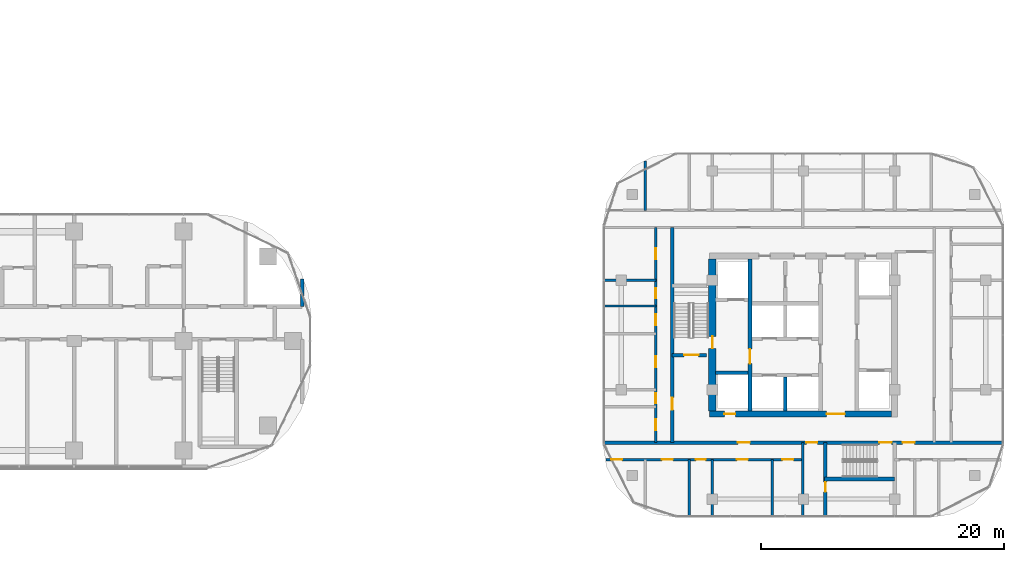
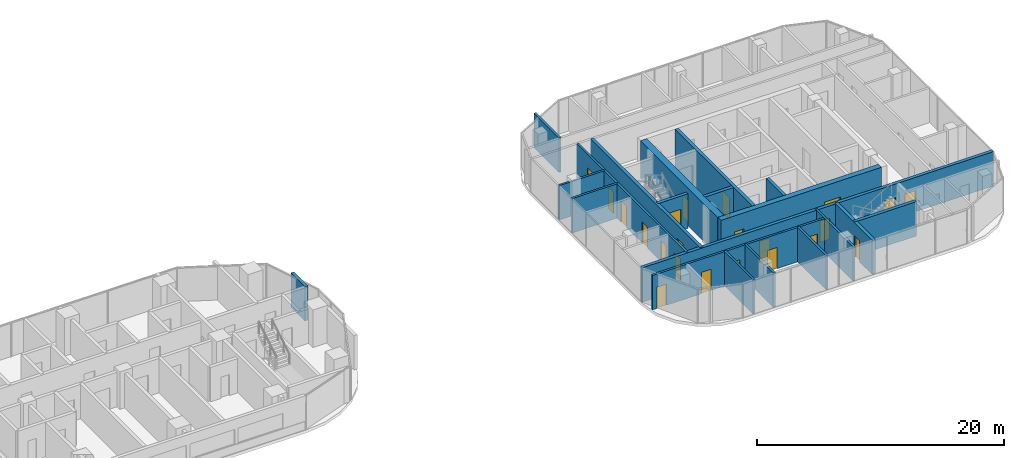
# One storey, part 22 of 33: 22 doors, 20 walls, 22 openings.
"""IFC4 building model written with IfcOpenShell, lengths in metres."""

from ifc_helpers import new_model, si_unit, direction, frame, frame_2d, origin, place, context, subcontext, project, spatial, rectangle, extrude, material, layer, layer_set, type_object, element, fill, save


model = new_model("IFC4")

# Units and contexts
model_context = context("Model", 3, precision=1e-05, world=origin(), true_north=direction((0.0, 1.0)))
body_context = subcontext(model_context, "Body", "Model", "MODEL_VIEW")
ifc_project = project(units=[si_unit("LENGTHUNIT", "METRE"), si_unit("AREAUNIT", "SQUARE_METRE"), si_unit("VOLUMEUNIT", "CUBIC_METRE"), si_unit("PLANEANGLEUNIT", "RADIAN"), si_unit("MASSUNIT", "GRAM", prefix="KILO")], contexts=[model_context])

# Site, building, storey
site_placement = place(None, origin())
site = spatial("IfcSite", under=ifc_project, at=site_placement, CompositionType="ELEMENT")
building_placement = place(site_placement, origin())
building = spatial("IfcBuilding", under=site, at=building_placement, Name="Ogive Portal Towers", CompositionType="ELEMENT")
storey_placement = place(building_placement, frame((0.0, 0.0, 77.89990234375)))
storey = spatial("IfcBuildingStorey", under=building, at=storey_placement, Name="L18", CompositionType="ELEMENT", Elevation=77.89990234375)

# Wall, opening, door
ifc_material_1 = material(Name="Concrete C60/75", Category="concrete")
ifc_layer_1 = layer(ifc_material_1, 0.300048828125)
ifc_layer_set_1 = layer_set([ifc_layer_1], Name="CORE WALL 300 C60")
wall_type_1 = type_object("IfcWallType", Name="CORE WALL 300 C60", PredefinedType="SHEAR", material=ifc_layer_set_1)
wall_1_placement = place(storey_placement, frame((132.10009765625, 24.75, 0.0), z_axis=(0.0, 0.0, 1.0), x_axis=(0.0, 1.0, 0.0)))
wall_1 = element("IfcWall", 1, at=wall_1_placement, inside=storey, type_object=wall_type_1, Name="Tower B core wall BX1 L18", PredefinedType="SHEAR", context=body_context, shape_type="SweptSolid", body=[
    extrude(rectangle(XDim=12.5, YDim=0.300048828125, at=frame_2d((6.25, 0.0))), origin(), (0.0, 0.0, 1.0), 3.7001953125),
])
opening_1_placement = place(wall_1_placement, frame((3.89990234375, 0.0, 0.0)))
opening_1 = element("IfcOpeningElement", 2, at=opening_1_placement, cuts=wall_1, Name="Opening B05-042", PredefinedType="OPENING", context=body_context, shape_type="SweptSolid", body=[
    extrude(rectangle(XDim=1.199951171875, YDim=2.10009765625, at=frame_2d((0.60009765625, 1.050048828125))), frame((0.0, 0.16015625, 0.0), z_axis=(0.0, -1.0, 0.0), x_axis=(1.0, 0.0, 0.0)), (0.0, 0.0, 1.0), 0.320068359375),
])
ifc_material_2 = material(Name="Steel fire door", Category="steel")
door_type_1 = type_object("IfcDoorType", Name="DT-SWING-1200x2100-FD90S", OperationType="SINGLE_SWING_LEFT", PredefinedType="DOOR", material=ifc_material_2)
door_1_placement = place(opening_1_placement, origin())
door_1 = element("IfcDoor", 3, at=door_1_placement, inside=storey, type_object=door_type_1, Name="Door B05-042", OperationType="SINGLE_SWING_LEFT", OverallHeight=2.10009765625, OverallWidth=1.199951171875, PredefinedType="DOOR", context=body_context, shape_type="SweptSolid", body=[
    extrude(rectangle(XDim=1.199951171875, YDim=2.10009765625, at=frame_2d((0.60009765625, 1.050048828125))), frame((0.0, 0.02490234375, 0.0), z_axis=(0.0, -1.0, 0.0), x_axis=(1.0, 0.0, 0.0)), (0.0, 0.0, 1.0), 0.050048828125),
])
fill(opening_1, door_1)

# Walls
wall_2_placement = place(storey_placement, frame((135.0, 24.75, 0.0), z_axis=(0.0, 0.0, 1.0), x_axis=(0.0, 1.0, 0.0)))
element("IfcWall", 4, at=wall_2_placement, inside=storey, type_object=wall_type_1, Name="Tower B core wall BX4 L18", PredefinedType="SHEAR", context=body_context, shape_type="SweptSolid", body=[
    extrude(rectangle(XDim=2.800048828125, YDim=0.300048828125, at=frame_2d((1.39990234375, 0.0))), origin(), (0.0, 0.0, 1.0), 3.7001953125),
])
wall_3_placement = place(storey_placement, frame((129.25, 27.89990234375, 0.0), z_axis=(0.0, 0.0, 1.0), x_axis=(1.0, 0.0, 0.0)))
element("IfcWall", 5, at=wall_3_placement, inside=storey, type_object=wall_type_1, Name="Tower B core wall BY4 L18", PredefinedType="SHEAR", context=body_context, shape_type="SweptSolid", body=[
    extrude(rectangle(XDim=2.699951171875, YDim=0.300048828125, at=frame_2d((1.35009765625, 0.0))), origin(), (0.0, 0.0, 1.0), 3.7001953125),
])

# Wall, openings, doors
ifc_layer_2 = layer(ifc_material_1, 0.5)
ifc_layer_set_2 = layer_set([ifc_layer_2], Name="CORE WALL 500 C60")
wall_type_2 = type_object("IfcWallType", Name="CORE WALL 500 C60", PredefinedType="SHEAR", material=ifc_layer_set_2)
wall_4_placement = place(storey_placement, frame((128.75, 24.5, 0.0), z_axis=(0.0, 0.0, 1.0), x_axis=(1.0, 0.0, 0.0)))
wall_4 = element("IfcWall", 6, at=wall_4_placement, inside=storey, type_object=wall_type_2, Name="Tower B core wall BS L18", PredefinedType="SHEAR", context=body_context, shape_type="SweptSolid", body=[
    extrude(rectangle(XDim=15.0, YDim=0.5, at=frame_2d((7.5, 0.0))), origin(), (0.0, 0.0, 1.0), 3.7001953125),
])
opening_2_placement = place(wall_4_placement, frame((9.64990234375, 0.0, 0.0)))
opening_2 = element("IfcOpeningElement", 7, at=opening_2_placement, cuts=wall_4, Name="Opening B05-045", PredefinedType="OPENING", context=body_context, shape_type="SweptSolid", body=[
    extrude(rectangle(XDim=1.5, YDim=2.10009765625, at=frame_2d((0.75, 1.050048828125))), frame((0.0, 0.260009765625, 0.0), z_axis=(0.0, -1.0, 0.0), x_axis=(1.0, 0.0, 0.0)), (0.0, 0.0, 1.0), 0.52001953125),
])
opening_3_placement = place(wall_4_placement, frame((1.25, 0.0, 0.0)))
opening_3 = element("IfcOpeningElement", 8, at=opening_3_placement, cuts=wall_4, Name="Opening B05-047", PredefinedType="OPENING", context=body_context, shape_type="SweptSolid", body=[
    extrude(rectangle(XDim=0.89990234375, YDim=2.10009765625, at=frame_2d((0.449951171875, 1.050048828125))), frame((0.0, 0.260009765625, 0.0), z_axis=(0.0, -1.0, 0.0), x_axis=(1.0, 0.0, 0.0)), (0.0, 0.0, 1.0), 0.52001953125),
])
door_type_2 = type_object("IfcDoorType", Name="DT-SWING-1500x2100-FD90S", OperationType="SINGLE_SWING_LEFT", PredefinedType="DOOR", material=ifc_material_2)
door_2_placement = place(opening_2_placement, origin())
door_2 = element("IfcDoor", 9, at=door_2_placement, inside=storey, type_object=door_type_2, Name="Door B05-045", OperationType="SINGLE_SWING_LEFT", OverallHeight=2.10009765625, OverallWidth=1.5, PredefinedType="DOOR", context=body_context, shape_type="SweptSolid", body=[
    extrude(rectangle(XDim=1.5, YDim=2.10009765625, at=frame_2d((0.75, 1.050048828125))), frame((0.0, 0.02490234375, 0.0), z_axis=(0.0, -1.0, 0.0), x_axis=(1.0, 0.0, 0.0)), (0.0, 0.0, 1.0), 0.050048828125),
])
fill(opening_2, door_2)
door_type_3 = type_object("IfcDoorType", Name="DT-SWING-900x2100-FD90S", OperationType="SINGLE_SWING_LEFT", PredefinedType="DOOR", material=ifc_material_2)
door_3_placement = place(opening_3_placement, origin())
door_3 = element("IfcDoor", 10, at=door_3_placement, inside=storey, type_object=door_type_3, Name="Riser access door B05-047", OperationType="SINGLE_SWING_LEFT", OverallHeight=2.10009765625, OverallWidth=0.89990234375, PredefinedType="DOOR", context=body_context, shape_type="SweptSolid", body=[
    extrude(rectangle(XDim=0.89990234375, YDim=2.10009765625, at=frame_2d((0.449951171875, 1.050048828125))), frame((0.0, 0.02490234375, 0.0), z_axis=(0.0, -1.0, 0.0), x_axis=(1.0, 0.0, 0.0)), (0.0, 0.0, 1.0), 0.050048828125),
])
fill(opening_3, door_3)

# Wall, opening, door
ifc_layer_3 = layer(ifc_material_1, 0.60009765625)
ifc_layer_set_3 = layer_set([ifc_layer_3], Name="CORE WALL 600 C60")
wall_type_3 = type_object("IfcWallType", Name="CORE WALL 600 C60", PredefinedType="SHEAR", material=ifc_layer_set_3)
wall_5_placement = place(storey_placement, frame((129.0, 24.75, 0.0), z_axis=(0.0, 0.0, 1.0), x_axis=(0.0, 1.0, 0.0)))
wall_5 = element("IfcWall", 11, at=wall_5_placement, inside=storey, type_object=wall_type_3, Name="Tower B core wall BW L18", PredefinedType="SHEAR", context=body_context, shape_type="SweptSolid", body=[
    extrude(rectangle(XDim=12.5, YDim=0.60009765625, at=frame_2d((6.25, 0.0))), origin(), (0.0, 0.0, 1.0), 3.7001953125),
])
opening_4_placement = place(wall_5_placement, frame((5.14990234375, 0.0, 0.0)))
opening_4 = element("IfcOpeningElement", 12, at=opening_4_placement, cuts=wall_5, Name="Opening B05-044", PredefinedType="OPENING", context=body_context, shape_type="SweptSolid", body=[
    extrude(rectangle(XDim=1.0, YDim=2.10009765625, at=frame_2d((0.5, 1.050048828125))), frame((0.0, 0.31005859375, 0.0), z_axis=(0.0, -1.0, 0.0), x_axis=(1.0, 0.0, 0.0)), (0.0, 0.0, 1.0), 0.6201171875),
])
door_type_4 = type_object("IfcDoorType", Name="DT-SWING-1000x2100-FD90S", OperationType="SINGLE_SWING_LEFT", PredefinedType="DOOR", material=ifc_material_2)
door_4_placement = place(opening_4_placement, origin())
door_4 = element("IfcDoor", 13, at=door_4_placement, inside=storey, type_object=door_type_4, Name="Door B05-044", OperationType="SINGLE_SWING_RIGHT", OverallHeight=2.10009765625, OverallWidth=1.0, PredefinedType="DOOR", context=body_context, shape_type="SweptSolid", body=[
    extrude(rectangle(XDim=1.0, YDim=2.10009765625, at=frame_2d((0.5, 1.050048828125))), frame((0.0, 0.02490234375, 0.0), z_axis=(0.0, -1.0, 0.0), x_axis=(1.0, 0.0, 0.0)), (0.0, 0.0, 1.0), 0.050048828125),
])
fill(opening_4, door_4)

# Wall
ifc_material_3 = material(Name="Concrete C50/60", Category="concrete")
ifc_layer_4 = layer(ifc_material_3, 0.300048828125)
ifc_layer_set_4 = layer_set([ifc_layer_4], Name="STAIR WALL 300 C50")
wall_type_4 = type_object("IfcWallType", Name="STAIR WALL 300 C50", PredefinedType="SHEAR", material=ifc_layer_set_4)
wall_6_placement = place(storey_placement, frame((138.25, 19.14990234375, 0.0), z_axis=(0.0, 0.0, 1.0), x_axis=(1.0, 0.0, 0.0)))
element("IfcWall", 14, at=wall_6_placement, inside=storey, type_object=wall_type_4, Name="Stair wall ST-B2 L18", PredefinedType="SHEAR", context=body_context, shape_type="SweptSolid", body=[
    extrude(rectangle(XDim=5.75, YDim=0.300048828125, at=frame_2d((2.875, 0.0))), origin(), (0.0, 0.0, 1.0), 3.400146484375),
])

# Wall, openings, doors
wall_7_placement = place(storey_placement, frame((120.070068359375, 22.14990234375, 0.0), z_axis=(0.0, 0.0, 1.0), x_axis=(1.0, 0.0, 0.0)))
wall_7 = element("IfcWall", 15, at=wall_7_placement, inside=storey, type_object=wall_type_4, Name="Stair wall ST-B2 L18", PredefinedType="SHEAR", context=body_context, shape_type="SweptSolid", body=[
    extrude(rectangle(XDim=32.85986328125, YDim=0.300048828125, at=frame_2d((16.429931640625, 0.0))), origin(), (0.0, 0.0, 1.0), 3.400146484375),
])
opening_5_placement = place(wall_7_placement, frame((22.679931640625, 0.0, 0.0)))
opening_5 = element("IfcOpeningElement", 16, at=opening_5_placement, cuts=wall_7, Name="Opening B05-003", PredefinedType="OPENING", context=body_context, shape_type="SweptSolid", body=[
    extrude(rectangle(XDim=1.0, YDim=2.10009765625, at=frame_2d((0.5, 1.050048828125))), frame((0.0, 0.16015625, 0.0), z_axis=(0.0, -1.0, 0.0), x_axis=(1.0, 0.0, 0.0)), (0.0, 0.0, 1.0), 0.320068359375),
])
opening_6_placement = place(wall_7_placement, frame((11.030029296875, 0.0, 0.0)))
opening_6 = element("IfcOpeningElement", 17, at=opening_6_placement, cuts=wall_7, Name="Opening B05-016", PredefinedType="OPENING", context=body_context, shape_type="SweptSolid", body=[
    extrude(rectangle(XDim=1.0, YDim=2.10009765625, at=frame_2d((0.5, 1.050048828125))), frame((0.0, 0.16015625, 0.0), z_axis=(0.0, -1.0, 0.0), x_axis=(1.0, 0.0, 0.0)), (0.0, 0.0, 1.0), 0.320068359375),
])
opening_7_placement = place(wall_7_placement, frame((24.580078125, 0.0, 0.0)))
opening_7 = element("IfcOpeningElement", 18, at=opening_7_placement, cuts=wall_7, Name="Opening B05-022", PredefinedType="OPENING", context=body_context, shape_type="SweptSolid", body=[
    extrude(rectangle(XDim=1.0, YDim=2.10009765625, at=frame_2d((0.5, 1.050048828125))), frame((0.0, 0.16015625, 0.0), z_axis=(0.0, -1.0, 0.0), x_axis=(1.0, 0.0, 0.0)), (0.0, 0.0, 1.0), 0.320068359375),
])
opening_8_placement = place(wall_7_placement, frame((16.679931640625, 0.0, 0.0)))
opening_8 = element("IfcOpeningElement", 19, at=opening_8_placement, cuts=wall_7, Name="Opening B05-026", PredefinedType="OPENING", context=body_context, shape_type="SweptSolid", body=[
    extrude(rectangle(XDim=0.89990234375, YDim=2.10009765625, at=frame_2d((0.449951171875, 1.050048828125))), frame((0.0, 0.16015625, 0.0), z_axis=(0.0, -1.0, 0.0), x_axis=(1.0, 0.0, 0.0)), (0.0, 0.0, 1.0), 0.320068359375),
])
door_5_placement = place(opening_5_placement, origin())
door_5 = element("IfcDoor", 20, at=door_5_placement, inside=storey, type_object=door_type_4, Name="Door B05-003", OperationType="SINGLE_SWING_LEFT", OverallHeight=2.10009765625, OverallWidth=1.0, PredefinedType="DOOR", context=body_context, shape_type="SweptSolid", body=[
    extrude(rectangle(XDim=1.0, YDim=2.10009765625, at=frame_2d((0.5, 1.050048828125))), frame((0.0, 0.02490234375, 0.0), z_axis=(0.0, -1.0, 0.0), x_axis=(1.0, 0.0, 0.0)), (0.0, 0.0, 1.0), 0.050048828125),
])
fill(opening_5, door_5)
door_6_placement = place(opening_6_placement, origin())
door_6 = element("IfcDoor", 21, at=door_6_placement, inside=storey, type_object=door_type_4, Name="Door B05-016", OperationType="SINGLE_SWING_RIGHT", OverallHeight=2.10009765625, OverallWidth=1.0, PredefinedType="DOOR", context=body_context, shape_type="SweptSolid", body=[
    extrude(rectangle(XDim=1.0, YDim=2.10009765625, at=frame_2d((0.5, 1.050048828125))), frame((0.0, 0.02490234375, 0.0), z_axis=(0.0, -1.0, 0.0), x_axis=(1.0, 0.0, 0.0)), (0.0, 0.0, 1.0), 0.050048828125),
])
fill(opening_6, door_6)
door_7_placement = place(opening_7_placement, origin())
door_7 = element("IfcDoor", 22, at=door_7_placement, inside=storey, type_object=door_type_4, Name="Door B05-022", OperationType="SINGLE_SWING_RIGHT", OverallHeight=2.10009765625, OverallWidth=1.0, PredefinedType="DOOR", context=body_context, shape_type="SweptSolid", body=[
    extrude(rectangle(XDim=1.0, YDim=2.10009765625, at=frame_2d((0.5, 1.050048828125))), frame((0.0, 0.02490234375, 0.0), z_axis=(0.0, -1.0, 0.0), x_axis=(1.0, 0.0, 0.0)), (0.0, 0.0, 1.0), 0.050048828125),
])
fill(opening_7, door_7)
door_8_placement = place(opening_8_placement, origin())
door_8 = element("IfcDoor", 23, at=door_8_placement, inside=storey, type_object=door_type_3, Name="Door B05-026", OperationType="SINGLE_SWING_RIGHT", OverallHeight=2.10009765625, OverallWidth=0.89990234375, PredefinedType="DOOR", context=body_context, shape_type="SweptSolid", body=[
    extrude(rectangle(XDim=0.89990234375, YDim=2.10009765625, at=frame_2d((0.449951171875, 1.050048828125))), frame((0.0, 0.02490234375, 0.0), z_axis=(0.0, -1.0, 0.0), x_axis=(1.0, 0.0, 0.0)), (0.0, 0.0, 1.0), 0.050048828125),
])
fill(opening_8, door_8)

# Wall, opening, door
wall_8_placement = place(storey_placement, frame((125.699951171875, 29.35009765625, 0.0), z_axis=(0.0, 0.0, 1.0), x_axis=(1.0, 0.0, 0.0)))
wall_8 = element("IfcWall", 24, at=wall_8_placement, inside=storey, type_object=wall_type_4, Name="Stair wall ST-B1 L18", PredefinedType="SHEAR", context=body_context, shape_type="SweptSolid", body=[
    extrude(rectangle(XDim=2.830078125, YDim=0.300048828125, at=frame_2d((1.4150390625, 0.0))), origin(), (0.0, 0.0, 1.0), 3.400146484375),
])
opening_9_placement = place(wall_8_placement, frame((0.97509765625, 0.0, 0.0)))
opening_9 = element("IfcOpeningElement", 25, at=opening_9_placement, cuts=wall_8, Name="Opening B05-002", PredefinedType="OPENING", context=body_context, shape_type="SweptSolid", body=[
    extrude(rectangle(XDim=1.199951171875, YDim=2.10009765625, at=frame_2d((0.60009765625, 1.050048828125))), frame((0.0, 0.16015625, 0.0), z_axis=(0.0, -1.0, 0.0), x_axis=(1.0, 0.0, 0.0)), (0.0, 0.0, 1.0), 0.320068359375),
])
door_9_placement = place(opening_9_placement, origin())
door_9 = element("IfcDoor", 26, at=door_9_placement, inside=storey, type_object=door_type_1, Name="Door B05-002", OperationType="SINGLE_SWING_RIGHT", OverallHeight=2.10009765625, OverallWidth=1.199951171875, PredefinedType="DOOR", context=body_context, shape_type="SweptSolid", body=[
    extrude(rectangle(XDim=1.199951171875, YDim=2.10009765625, at=frame_2d((0.60009765625, 1.050048828125))), frame((0.0, 0.02490234375, 0.0), z_axis=(0.0, -1.0, 0.0), x_axis=(1.0, 0.0, 0.0)), (0.0, 0.0, 1.0), 0.050048828125),
])
fill(opening_9, door_9)

wall_9_placement = place(storey_placement, frame((125.699951171875, 22.14990234375, 0.0), z_axis=(0.0, 0.0, 1.0), x_axis=(0.0, 1.0, 0.0)))
wall_9 = element("IfcWall", 27, at=wall_9_placement, inside=storey, type_object=wall_type_4, Name="Stair wall ST-B1 L18", PredefinedType="SHEAR", context=body_context, shape_type="SweptSolid", body=[
    extrude(rectangle(XDim=17.7001953125, YDim=0.300048828125, at=frame_2d((8.85009765625, 0.0))), origin(), (0.0, 0.0, 1.0), 3.400146484375),
])
opening_10_placement = place(wall_9_placement, frame((2.699951171875, 0.0, 0.0)))
opening_10 = element("IfcOpeningElement", 28, at=opening_10_placement, cuts=wall_9, Name="Opening B05-028", PredefinedType="OPENING", context=body_context, shape_type="SweptSolid", body=[
    extrude(rectangle(XDim=1.0, YDim=2.10009765625, at=frame_2d((0.5, 1.050048828125))), frame((0.0, 0.16015625, 0.0), z_axis=(0.0, -1.0, 0.0), x_axis=(1.0, 0.0, 0.0)), (0.0, 0.0, 1.0), 0.320068359375),
])
door_10_placement = place(opening_10_placement, origin())
door_10 = element("IfcDoor", 29, at=door_10_placement, inside=storey, type_object=door_type_4, Name="Door B05-028", OperationType="SINGLE_SWING_RIGHT", OverallHeight=2.10009765625, OverallWidth=1.0, PredefinedType="DOOR", context=body_context, shape_type="SweptSolid", body=[
    extrude(rectangle(XDim=1.0, YDim=2.10009765625, at=frame_2d((0.5, 1.050048828125))), frame((0.0, 0.02490234375, 0.0), z_axis=(0.0, -1.0, 0.0), x_axis=(1.0, 0.0, 0.0)), (0.0, 0.0, 1.0), 0.050048828125),
])
fill(opening_10, door_10)

wall_10_placement = place(storey_placement, frame((138.300048828125, 16.070068359375, 0.0), z_axis=(0.0, 0.0, 1.0), x_axis=(0.0, 1.0, 0.0)))
wall_10 = element("IfcWall", 30, at=wall_10_placement, inside=storey, type_object=wall_type_4, Name="Stair wall ST-B2 L18", PredefinedType="SHEAR", context=body_context, shape_type="SweptSolid", body=[
    extrude(rectangle(XDim=6.079833984375, YDim=0.300048828125, at=frame_2d((3.0400390625, 0.0))), origin(), (0.0, 0.0, 1.0), 3.400146484375),
])
opening_11_placement = place(wall_10_placement, frame((2.030029296875, 0.0, 0.0)))
opening_11 = element("IfcOpeningElement", 31, at=opening_11_placement, cuts=wall_10, Name="Opening B05-027", PredefinedType="OPENING", context=body_context, shape_type="SweptSolid", body=[
    extrude(rectangle(XDim=0.800048828125, YDim=2.10009765625, at=frame_2d((0.39990234375, 1.050048828125))), frame((0.0, 0.16015625, 0.0), z_axis=(0.0, -1.0, 0.0), x_axis=(1.0, 0.0, 0.0)), (0.0, 0.0, 1.0), 0.320068359375),
])
door_type_5 = type_object("IfcDoorType", Name="DT-SWING-800x2100-FD90S", OperationType="SINGLE_SWING_LEFT", PredefinedType="DOOR", material=ifc_material_2)
door_11_placement = place(opening_11_placement, origin())
door_11 = element("IfcDoor", 32, at=door_11_placement, inside=storey, type_object=door_type_5, Name="Door B05-027", OperationType="SINGLE_SWING_LEFT", OverallHeight=2.10009765625, OverallWidth=0.800048828125, PredefinedType="DOOR", context=body_context, shape_type="SweptSolid", body=[
    extrude(rectangle(XDim=0.800048828125, YDim=2.10009765625, at=frame_2d((0.39990234375, 1.050048828125))), frame((0.0, 0.02490234375, 0.0), z_axis=(0.0, -1.0, 0.0), x_axis=(1.0, 0.0, 0.0)), (0.0, 0.0, 1.0), 0.050048828125),
])
fill(opening_11, door_11)

# Wall, openings, doors
ifc_material_4 = material(Name="Gypsum board partition on steel studs", Category="steel")
ifc_layer_5 = layer(ifc_material_4, 0.199951171875)
ifc_layer_set_5 = layer_set([ifc_layer_5], Name="WT-PART-200-EI 60")
wall_type_5 = type_object("IfcWallType", Name="WT-PART-200-EI 60", PredefinedType="PARTITIONING", material=ifc_layer_set_5)
wall_11_placement = place(storey_placement, frame((120.26904296875, 20.75, 0.0), z_axis=(0.0, 0.0, 1.0), x_axis=(1.0, 0.0, 0.0)))
wall_11 = element("IfcWall", 33, at=wall_11_placement, inside=storey, type_object=wall_type_5, Name="Wall L18:w002", PredefinedType="PARTITIONING", context=body_context, shape_type="SweptSolid", body=[
    extrude(rectangle(XDim=16.23095703125, YDim=0.199951171875, at=frame_2d((8.115478515625, 0.0))), origin(), (0.0, 0.0, 1.0), 3.400146484375),
])
opening_12_placement = place(wall_11_placement, frame((0.4140625, 0.0, 0.0)))
opening_12 = element("IfcOpeningElement", 34, at=opening_12_placement, cuts=wall_11, Name="Opening B05-017", PredefinedType="OPENING", context=body_context, shape_type="SweptSolid", body=[
    extrude(rectangle(XDim=0.89990234375, YDim=2.10009765625, at=frame_2d((0.449951171875, 1.050048828125))), frame((0.0, 0.10986328125, 0.0), z_axis=(0.0, -1.0, 0.0), x_axis=(1.0, 0.0, 0.0)), (0.0, 0.0, 1.0), 0.219970703125),
])
opening_13_placement = place(wall_11_placement, frame((4.5810546875, 0.0, 0.0)))
opening_13 = element("IfcOpeningElement", 35, at=opening_13_placement, cuts=wall_11, Name="Opening B05-018", PredefinedType="OPENING", context=body_context, shape_type="SweptSolid", body=[
    extrude(rectangle(XDim=0.89990234375, YDim=2.10009765625, at=frame_2d((0.449951171875, 1.050048828125))), frame((0.0, 0.10986328125, 0.0), z_axis=(0.0, -1.0, 0.0), x_axis=(1.0, 0.0, 0.0)), (0.0, 0.0, 1.0), 0.219970703125),
])
opening_14_placement = place(wall_11_placement, frame((7.381103515625, 0.0, 0.0)))
opening_14 = element("IfcOpeningElement", 36, at=opening_14_placement, cuts=wall_11, Name="Opening B05-019", PredefinedType="OPENING", context=body_context, shape_type="SweptSolid", body=[
    extrude(rectangle(XDim=0.800048828125, YDim=2.10009765625, at=frame_2d((0.39990234375, 1.050048828125))), frame((0.0, 0.10986328125, 0.0), z_axis=(0.0, -1.0, 0.0), x_axis=(1.0, 0.0, 0.0)), (0.0, 0.0, 1.0), 0.219970703125),
])
opening_15_placement = place(wall_11_placement, frame((10.748046875, 0.0, 0.0)))
opening_15 = element("IfcOpeningElement", 37, at=opening_15_placement, cuts=wall_11, Name="Opening B05-020", PredefinedType="OPENING", context=body_context, shape_type="SweptSolid", body=[
    extrude(rectangle(XDim=0.89990234375, YDim=2.10009765625, at=frame_2d((0.449951171875, 1.050048828125))), frame((0.0, 0.10986328125, 0.0), z_axis=(0.0, -1.0, 0.0), x_axis=(1.0, 0.0, 0.0)), (0.0, 0.0, 1.0), 0.219970703125),
])
opening_16_placement = place(wall_11_placement, frame((14.498046875, 0.0, 0.0)))
opening_16 = element("IfcOpeningElement", 38, at=opening_16_placement, cuts=wall_11, Name="Opening B05-021", PredefinedType="OPENING", context=body_context, shape_type="SweptSolid", body=[
    extrude(rectangle(XDim=0.89990234375, YDim=2.10009765625, at=frame_2d((0.449951171875, 1.050048828125))), frame((0.0, 0.10986328125, 0.0), z_axis=(0.0, -1.0, 0.0), x_axis=(1.0, 0.0, 0.0)), (0.0, 0.0, 1.0), 0.219970703125),
])
door_type_6 = type_object("IfcDoorType", Name="DT-SWING-800x2100-FD60S", OperationType="SINGLE_SWING_LEFT", PredefinedType="DOOR", material=ifc_material_2)
door_12_placement = place(opening_14_placement, origin())
door_12 = element("IfcDoor", 39, at=door_12_placement, inside=storey, type_object=door_type_6, Name="Door B05-019", OperationType="SINGLE_SWING_LEFT", OverallHeight=2.10009765625, OverallWidth=0.800048828125, PredefinedType="DOOR", context=body_context, shape_type="SweptSolid", body=[
    extrude(rectangle(XDim=0.800048828125, YDim=2.10009765625, at=frame_2d((0.39990234375, 1.050048828125))), frame((0.0, 0.02490234375, 0.0), z_axis=(0.0, -1.0, 0.0), x_axis=(1.0, 0.0, 0.0)), (0.0, 0.0, 1.0), 0.050048828125),
])
fill(opening_14, door_12)
door_type_7 = type_object("IfcDoorType", Name="DT-SWING-900x2100-FD60S", OperationType="SINGLE_SWING_LEFT", PredefinedType="DOOR", material=ifc_material_2)
door_13_placement = place(opening_12_placement, origin())
door_13 = element("IfcDoor", 40, at=door_13_placement, inside=storey, type_object=door_type_7, Name="Door B05-017", OperationType="SINGLE_SWING_LEFT", OverallHeight=2.10009765625, OverallWidth=0.89990234375, PredefinedType="DOOR", context=body_context, shape_type="SweptSolid", body=[
    extrude(rectangle(XDim=0.89990234375, YDim=2.10009765625, at=frame_2d((0.449951171875, 1.050048828125))), frame((0.0, 0.02490234375, 0.0), z_axis=(0.0, -1.0, 0.0), x_axis=(1.0, 0.0, 0.0)), (0.0, 0.0, 1.0), 0.050048828125),
])
fill(opening_12, door_13)
door_14_placement = place(opening_13_placement, origin())
door_14 = element("IfcDoor", 41, at=door_14_placement, inside=storey, type_object=door_type_7, Name="Door B05-018", OperationType="SINGLE_SWING_RIGHT", OverallHeight=2.10009765625, OverallWidth=0.89990234375, PredefinedType="DOOR", context=body_context, shape_type="SweptSolid", body=[
    extrude(rectangle(XDim=0.89990234375, YDim=2.10009765625, at=frame_2d((0.449951171875, 1.050048828125))), frame((0.0, 0.02490234375, 0.0), z_axis=(0.0, -1.0, 0.0), x_axis=(1.0, 0.0, 0.0)), (0.0, 0.0, 1.0), 0.050048828125),
])
fill(opening_13, door_14)
door_15_placement = place(opening_15_placement, origin())
door_15 = element("IfcDoor", 42, at=door_15_placement, inside=storey, type_object=door_type_7, Name="Door B05-020", OperationType="SINGLE_SWING_RIGHT", OverallHeight=2.10009765625, OverallWidth=0.89990234375, PredefinedType="DOOR", context=body_context, shape_type="SweptSolid", body=[
    extrude(rectangle(XDim=0.89990234375, YDim=2.10009765625, at=frame_2d((0.449951171875, 1.050048828125))), frame((0.0, 0.02490234375, 0.0), z_axis=(0.0, -1.0, 0.0), x_axis=(1.0, 0.0, 0.0)), (0.0, 0.0, 1.0), 0.050048828125),
])
fill(opening_15, door_15)
door_16_placement = place(opening_16_placement, origin())
door_16 = element("IfcDoor", 43, at=door_16_placement, inside=storey, type_object=door_type_7, Name="Door B05-021", OperationType="SINGLE_SWING_LEFT", OverallHeight=2.10009765625, OverallWidth=0.89990234375, PredefinedType="DOOR", context=body_context, shape_type="SweptSolid", body=[
    extrude(rectangle(XDim=0.89990234375, YDim=2.10009765625, at=frame_2d((0.449951171875, 1.050048828125))), frame((0.0, 0.02490234375, 0.0), z_axis=(0.0, -1.0, 0.0), x_axis=(1.0, 0.0, 0.0)), (0.0, 0.0, 1.0), 0.050048828125),
])
fill(opening_16, door_16)

# Walls
for number, where, z_axis, x_axis, name in (
    (44, (120.070068359375, 33.39111328125, 0.0), (0.0, 0.0, 1.0), (1.0, 0.0, 0.0), "Wall L18:w013"),
    (45, (120.070068359375, 35.5, 0.0), (0.0, 0.0, 1.0), (1.0, 0.0, 0.0), "Wall L18:w015"),
):
    element("IfcWall", number, at=place(storey_placement, frame(where, z_axis=z_axis, x_axis=x_axis)), inside=storey, type_object=wall_type_5, Name=name, PredefinedType="PARTITIONING", context=body_context, shape_type="SweptSolid", body=[
        extrude(rectangle(XDim=4.280029296875, YDim=0.199951171875, at=frame_2d((2.14013671875, 0.0))), origin(), (0.0, 0.0, 1.0), 3.400146484375),
    ])
wall_12_placement = place(storey_placement, frame((123.5, 41.25, 0.0), z_axis=(0.0, 0.0, 1.0), x_axis=(0.0, 1.0, 0.0)))
element("IfcWall", 46, at=wall_12_placement, inside=storey, type_object=wall_type_5, Name="Wall L18:w023", PredefinedType="PARTITIONING", context=body_context, shape_type="SweptSolid", body=[
    extrude(rectangle(XDim=4.049072265625, YDim=0.199951171875, at=frame_2d((2.0244140625, 0.0))), origin(), (0.0, 0.0, 1.0), 3.400146484375),
])

# Wall, openings, doors
wall_13_placement = place(storey_placement, frame((124.35009765625, 22.14990234375, 0.0), z_axis=(0.0, 0.0, 1.0), x_axis=(0.0, 1.0, 0.0)))
wall_13 = element("IfcWall", 47, at=wall_13_placement, inside=storey, type_object=wall_type_5, Name="Wall L18:w024", PredefinedType="PARTITIONING", context=body_context, shape_type="SweptSolid", body=[
    extrude(rectangle(XDim=17.7001953125, YDim=0.199951171875, at=frame_2d((8.85009765625, 0.0))), origin(), (0.0, 0.0, 1.0), 3.400146484375),
])
opening_17_placement = place(wall_13_placement, frame((1.028076171875, 0.0, 0.0)))
opening_17 = element("IfcOpeningElement", 48, at=opening_17_placement, cuts=wall_13, Name="Opening B05-029", PredefinedType="OPENING", context=body_context, shape_type="SweptSolid", body=[
    extrude(rectangle(XDim=0.89990234375, YDim=2.10009765625, at=frame_2d((0.449951171875, 1.050048828125))), frame((0.0, 0.10986328125, 0.0), z_axis=(0.0, -1.0, 0.0), x_axis=(1.0, 0.0, 0.0)), (0.0, 0.0, 1.0), 0.219970703125),
])
opening_18_placement = place(wall_13_placement, frame((3.2529296875, 0.0, 0.0)))
opening_18 = element("IfcOpeningElement", 49, at=opening_18_placement, cuts=wall_13, Name="Opening B05-030", PredefinedType="OPENING", context=body_context, shape_type="SweptSolid", body=[
    extrude(rectangle(XDim=0.800048828125, YDim=2.10009765625, at=frame_2d((0.39990234375, 1.050048828125))), frame((0.0, 0.10986328125, 0.0), z_axis=(0.0, -1.0, 0.0), x_axis=(1.0, 0.0, 0.0)), (0.0, 0.0, 1.0), 0.219970703125),
])
opening_19_placement = place(wall_13_placement, frame((6.195068359375, 0.0, 0.0)))
opening_19 = element("IfcOpeningElement", 50, at=opening_19_placement, cuts=wall_13, Name="Opening B05-031", PredefinedType="OPENING", context=body_context, shape_type="SweptSolid", body=[
    extrude(rectangle(XDim=0.89990234375, YDim=2.10009765625, at=frame_2d((0.449951171875, 1.050048828125))), frame((0.0, 0.10986328125, 0.0), z_axis=(0.0, -1.0, 0.0), x_axis=(1.0, 0.0, 0.0)), (0.0, 0.0, 1.0), 0.219970703125),
])
opening_20_placement = place(wall_13_placement, frame((9.64111328125, 0.0, 0.0)))
opening_20 = element("IfcOpeningElement", 51, at=opening_20_placement, cuts=wall_13, Name="Opening B05-032", PredefinedType="OPENING", context=body_context, shape_type="SweptSolid", body=[
    extrude(rectangle(XDim=0.89990234375, YDim=2.10009765625, at=frame_2d((0.449951171875, 1.050048828125))), frame((0.0, 0.10986328125, 0.0), z_axis=(0.0, -1.0, 0.0), x_axis=(1.0, 0.0, 0.0)), (0.0, 0.0, 1.0), 0.219970703125),
])
opening_21_placement = place(wall_13_placement, frame((11.89501953125, 0.0, 0.0)))
opening_21 = element("IfcOpeningElement", 52, at=opening_21_placement, cuts=wall_13, Name="Opening B05-033", PredefinedType="OPENING", context=body_context, shape_type="SweptSolid", body=[
    extrude(rectangle(XDim=0.800048828125, YDim=2.10009765625, at=frame_2d((0.39990234375, 1.050048828125))), frame((0.0, 0.10986328125, 0.0), z_axis=(0.0, -1.0, 0.0), x_axis=(1.0, 0.0, 0.0)), (0.0, 0.0, 1.0), 0.219970703125),
])
opening_22_placement = place(wall_13_placement, frame((15.074951171875, 0.0, 0.0)))
opening_22 = element("IfcOpeningElement", 53, at=opening_22_placement, cuts=wall_13, Name="Opening B05-034", PredefinedType="OPENING", context=body_context, shape_type="SweptSolid", body=[
    extrude(rectangle(XDim=0.89990234375, YDim=2.10009765625, at=frame_2d((0.449951171875, 1.050048828125))), frame((0.0, 0.10986328125, 0.0), z_axis=(0.0, -1.0, 0.0), x_axis=(1.0, 0.0, 0.0)), (0.0, 0.0, 1.0), 0.219970703125),
])
door_17_placement = place(opening_18_placement, origin())
door_17 = element("IfcDoor", 54, at=door_17_placement, inside=storey, type_object=door_type_6, Name="Door B05-030", OperationType="SINGLE_SWING_RIGHT", OverallHeight=2.10009765625, OverallWidth=0.800048828125, PredefinedType="DOOR", context=body_context, shape_type="SweptSolid", body=[
    extrude(rectangle(XDim=0.800048828125, YDim=2.10009765625, at=frame_2d((0.39990234375, 1.050048828125))), frame((0.0, 0.02490234375, 0.0), z_axis=(0.0, -1.0, 0.0), x_axis=(1.0, 0.0, 0.0)), (0.0, 0.0, 1.0), 0.050048828125),
])
fill(opening_18, door_17)
door_18_placement = place(opening_21_placement, origin())
door_18 = element("IfcDoor", 55, at=door_18_placement, inside=storey, type_object=door_type_6, Name="Door B05-033", OperationType="SINGLE_SWING_LEFT", OverallHeight=2.10009765625, OverallWidth=0.800048828125, PredefinedType="DOOR", context=body_context, shape_type="SweptSolid", body=[
    extrude(rectangle(XDim=0.800048828125, YDim=2.10009765625, at=frame_2d((0.39990234375, 1.050048828125))), frame((0.0, 0.02490234375, 0.0), z_axis=(0.0, -1.0, 0.0), x_axis=(1.0, 0.0, 0.0)), (0.0, 0.0, 1.0), 0.050048828125),
])
fill(opening_21, door_18)
door_19_placement = place(opening_17_placement, origin())
door_19 = element("IfcDoor", 56, at=door_19_placement, inside=storey, type_object=door_type_7, Name="Door B05-029", OperationType="SINGLE_SWING_LEFT", OverallHeight=2.10009765625, OverallWidth=0.89990234375, PredefinedType="DOOR", context=body_context, shape_type="SweptSolid", body=[
    extrude(rectangle(XDim=0.89990234375, YDim=2.10009765625, at=frame_2d((0.449951171875, 1.050048828125))), frame((0.0, 0.02490234375, 0.0), z_axis=(0.0, -1.0, 0.0), x_axis=(1.0, 0.0, 0.0)), (0.0, 0.0, 1.0), 0.050048828125),
])
fill(opening_17, door_19)
door_20_placement = place(opening_19_placement, origin())
door_20 = element("IfcDoor", 57, at=door_20_placement, inside=storey, type_object=door_type_7, Name="Door B05-031", OperationType="SINGLE_SWING_LEFT", OverallHeight=2.10009765625, OverallWidth=0.89990234375, PredefinedType="DOOR", context=body_context, shape_type="SweptSolid", body=[
    extrude(rectangle(XDim=0.89990234375, YDim=2.10009765625, at=frame_2d((0.449951171875, 1.050048828125))), frame((0.0, 0.02490234375, 0.0), z_axis=(0.0, -1.0, 0.0), x_axis=(1.0, 0.0, 0.0)), (0.0, 0.0, 1.0), 0.050048828125),
])
fill(opening_19, door_20)
door_21_placement = place(opening_20_placement, origin())
door_21 = element("IfcDoor", 58, at=door_21_placement, inside=storey, type_object=door_type_7, Name="Door B05-032", OperationType="SINGLE_SWING_RIGHT", OverallHeight=2.10009765625, OverallWidth=0.89990234375, PredefinedType="DOOR", context=body_context, shape_type="SweptSolid", body=[
    extrude(rectangle(XDim=0.89990234375, YDim=2.10009765625, at=frame_2d((0.449951171875, 1.050048828125))), frame((0.0, 0.02490234375, 0.0), z_axis=(0.0, -1.0, 0.0), x_axis=(1.0, 0.0, 0.0)), (0.0, 0.0, 1.0), 0.050048828125),
])
fill(opening_20, door_21)
door_22_placement = place(opening_22_placement, origin())
door_22 = element("IfcDoor", 59, at=door_22_placement, inside=storey, type_object=door_type_7, Name="Door B05-034", OperationType="SINGLE_SWING_RIGHT", OverallHeight=2.10009765625, OverallWidth=0.89990234375, PredefinedType="DOOR", context=body_context, shape_type="SweptSolid", body=[
    extrude(rectangle(XDim=0.89990234375, YDim=2.10009765625, at=frame_2d((0.449951171875, 1.050048828125))), frame((0.0, 0.02490234375, 0.0), z_axis=(0.0, -1.0, 0.0), x_axis=(1.0, 0.0, 0.0)), (0.0, 0.0, 1.0), 0.050048828125),
])
fill(opening_22, door_22)

# Walls
for number, where, z_axis, x_axis, name in (
    (60, (127.10009765625, 16.070068359375, 0.0), (0.0, 0.0, 1.0), (0.0, 1.0, 0.0), "Wall L18:w026"),
    (61, (129.0, 16.070068359375, 0.0), (0.0, 0.0, 1.0), (0.0, 1.0, 0.0), "Wall L18:w030"),
    (62, (133.93310546875, 16.070068359375, 0.0), (0.0, 0.0, 1.0), (0.0, 1.0, 0.0), "Wall L18:w032"),
):
    element("IfcWall", number, at=place(storey_placement, frame(where, z_axis=z_axis, x_axis=x_axis)), inside=storey, type_object=wall_type_5, Name=name, PredefinedType="PARTITIONING", context=body_context, shape_type="SweptSolid", body=[
        extrude(rectangle(XDim=4.679931640625, YDim=0.199951171875, at=frame_2d((2.33984375, 0.0))), origin(), (0.0, 0.0, 1.0), 3.400146484375),
    ])
wall_14_placement = place(storey_placement, frame((136.449951171875, 16.070068359375, 0.0), z_axis=(0.0, 0.0, 1.0), x_axis=(0.0, 1.0, 0.0)))
element("IfcWall", 63, at=wall_14_placement, inside=storey, type_object=wall_type_5, Name="Wall L18:w035", PredefinedType="PARTITIONING", context=body_context, shape_type="SweptSolid", body=[
    extrude(rectangle(XDim=6.079833984375, YDim=0.199951171875, at=frame_2d((3.0400390625, 0.0))), origin(), (0.0, 0.0, 1.0), 3.400146484375),
])
ifc_layer_6 = layer(ifc_material_4, 0.300048828125)
ifc_layer_set_6 = layer_set([ifc_layer_6], Name="WT-PART-300-EI 60")
wall_type_6 = type_object("IfcWallType", Name="WT-PART-300-EI 60", PredefinedType="PARTITIONING", material=ifc_layer_set_6)
wall_15_placement = place(storey_placement, frame((95.25, 33.35009765625, 0.0), z_axis=(0.0, 0.0, 1.0), x_axis=(0.0, 1.0, 0.0)))
element("IfcWall", 64, at=wall_15_placement, inside=storey, type_object=wall_type_6, Name="Wall L18:w066", PredefinedType="PARTITIONING", context=body_context, shape_type="SweptSolid", body=[
    extrude(rectangle(XDim=2.262939453125, YDim=0.300048828125, at=frame_2d((1.13134765625, 0.0))), origin(), (0.0, 0.0, 1.0), 3.400146484375),
])

save(model, "model.ifc")
